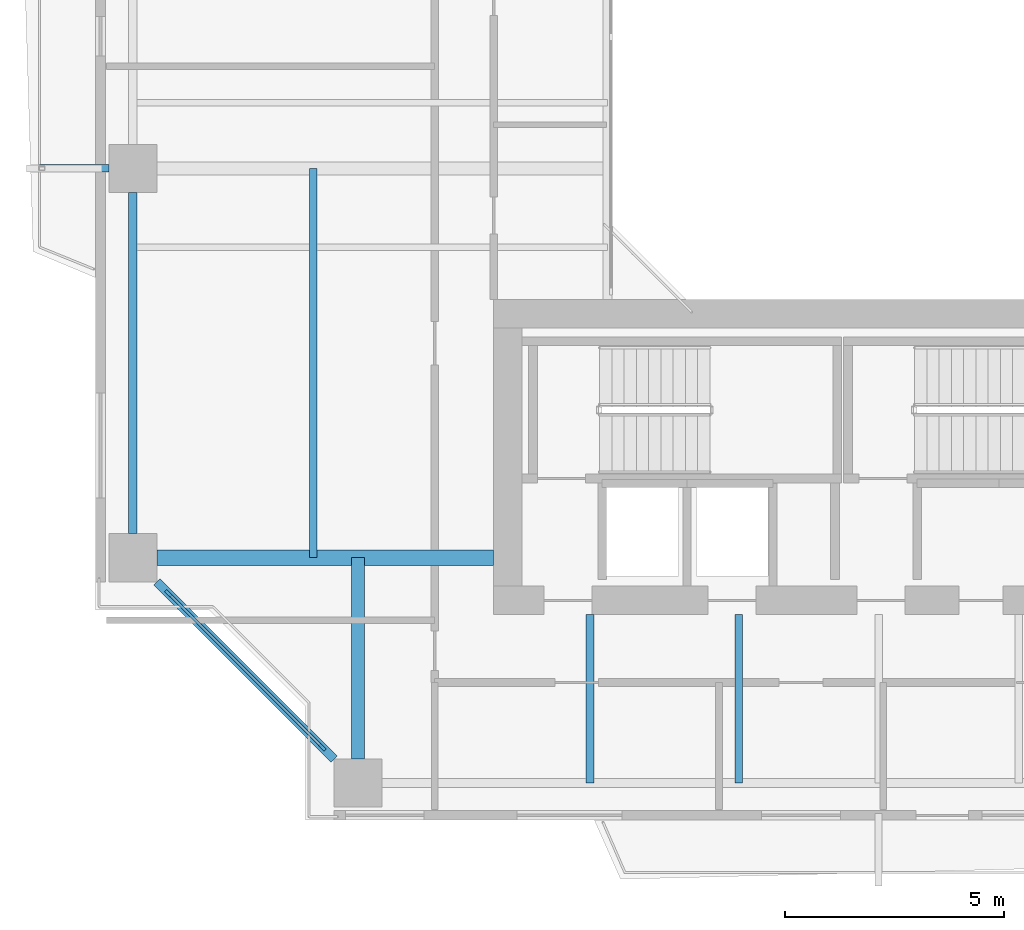
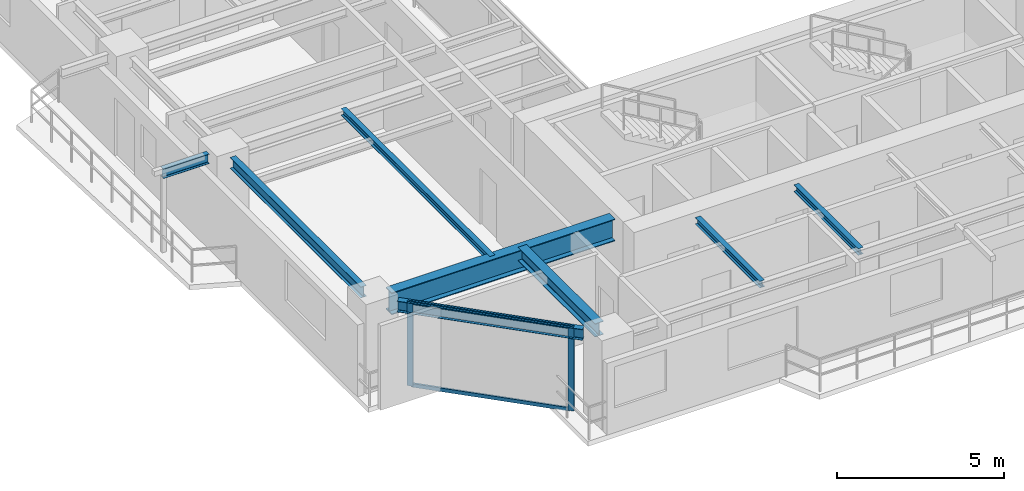
# One storey, part 2 of 17: 8 beams, 4 members, 1 element without a shape of its own.
"""IFC4 building model written with IfcOpenShell, lengths in metres."""

from ifc_helpers import new_model, si_unit, direction, frame, origin, origin_2d, place, context, subcontext, project, spatial, rectangle, i_section, extrude, source, transform, mapped, material, layer, layer_set, material_profile, profile_set, type_object, element, aggregate, save


model = new_model("IFC4")

# Units and contexts
model_context = context("Model", 3, precision=1e-05, world=origin(), true_north=direction((0.0, 1.0)))
body_context = subcontext(model_context, "Body", "Model", "MODEL_VIEW")
ifc_project = project(units=[si_unit("LENGTHUNIT", "METRE"), si_unit("AREAUNIT", "SQUARE_METRE"), si_unit("VOLUMEUNIT", "CUBIC_METRE"), si_unit("PLANEANGLEUNIT", "RADIAN"), si_unit("MASSUNIT", "GRAM", prefix="KILO"), si_unit("THERMODYNAMICTEMPERATUREUNIT", "KELVIN"), si_unit("POWERUNIT", "WATT")], contexts=[model_context])

# Site, building, storey
site_placement = place(None, origin())
site = spatial("IfcSite", under=ifc_project, at=site_placement, CompositionType="ELEMENT")
building_placement = place(site_placement, origin())
building = spatial("IfcBuilding", under=site, at=building_placement, Name="Qiaomeng Ring Towers", CompositionType="ELEMENT")
storey_placement = place(building_placement, frame((0.0, 0.0, 119.75)))
storey = spatial("IfcBuildingStorey", under=building, at=storey_placement, Name="L34", CompositionType="ELEMENT", Elevation=119.75)

# Beams
ifc_material_1 = material(Name="Steel Q355B", Category="steel")
ifc_material_profile_1 = material_profile(ifc_material_1, i_section(OverallWidth=0.199951171875, OverallDepth=0.39990234375, WebThickness=0.008056640625, FlangeThickness=0.012939453125, FilletRadius=0.01611328125, at=origin_2d()), Name="HN 400x200x8x13")
ifc_profile_set_1 = profile_set([ifc_material_profile_1], Name="Steel Q355B")
beam_type_1 = type_object("IfcBeamType", Name="STR-BM-HN400", PredefinedType="SPANDREL", material=ifc_profile_set_1)
shared_shape_1 = source(origin(), body_context, "Body", "SweptSolid", [
    extrude(i_section(OverallWidth=0.199951171875, OverallDepth=0.39990234375, WebThickness=0.008056640625, FlangeThickness=0.012939453125, FilletRadius=0.01611328125, at=origin_2d()), origin(), (0.0, 0.0, 1.0), 5.729736328125),
])
beam_1_placement = place(storey_placement, frame((2.499267578125, 10.55078125, 2.8701171875), z_axis=(0.707106781187, -0.707106781187, 0.0), x_axis=(0.707106781187, 0.707106781187, 0.0)))
element("IfcBeam", 1, at=beam_1_placement, inside=storey, type_object=beam_type_1, Name="L34 beam STR-SP-L34-T1-W1-S1", PredefinedType="SPANDREL", context=body_context, shape_type="MappedRepresentation", body=[
    mapped(shared_shape_1, transform((0.0, 0.0, 0.0), x_axis=(1.0, 0.0, 0.0), y_axis=(0.0, 1.0, 0.0), z_axis=(0.0, 0.0, 1.0), scale=1.0)),
])
shared_shape_2 = source(origin(), body_context, "Body", "SweptSolid", [
    extrude(i_section(OverallWidth=0.199951171875, OverallDepth=0.39990234375, WebThickness=0.008056640625, FlangeThickness=0.012939453125, FilletRadius=0.01611328125, at=origin_2d()), origin(), (0.0, 0.0, 1.0), 7.802001953125),
])
beam_2_placement = place(storey_placement, frame((1.949951171875, 19.450927734375, 2.8701171875), z_axis=(0.0, -1.0, 0.0), x_axis=(1.0, 0.0, 0.0)))
element("IfcBeam", 2, at=beam_2_placement, inside=storey, type_object=beam_type_1, Name="L34 beam STR-SP-L34-T1-W2-W1", PredefinedType="SPANDREL", context=body_context, shape_type="MappedRepresentation", body=[
    mapped(shared_shape_2, transform((0.0, 0.0, 0.0), x_axis=(1.0, 0.0, 0.0), y_axis=(0.0, 1.0, 0.0), z_axis=(0.0, 0.0, 1.0), scale=1.0)),
])
ifc_material_2 = material(Name="Steel Q390GJC", Category="steel")
ifc_material_profile_2 = material_profile(ifc_material_2, i_section(OverallWidth=0.35009765625, OverallDepth=0.800048828125, WebThickness=0.01611328125, FlangeThickness=0.028076171875, at=origin_2d()), Name="WH 800x350x16x28")
ifc_profile_set_2 = profile_set([ifc_material_profile_2], Name="Steel Q390GJC")
beam_type_2 = type_object("IfcBeamType", Name="STR-BM-WH800", PredefinedType="BEAM", material=ifc_profile_set_2)
shared_shape_3 = source(origin(), body_context, "Body", "SweptSolid", [
    extrude(i_section(OverallWidth=0.35009765625, OverallDepth=0.800048828125, WebThickness=0.01611328125, FlangeThickness=0.028076171875, at=origin_2d()), origin(), (0.0, 0.0, 1.0), 7.700927734375),
])
beam_3_placement = place(storey_placement, frame((2.4990234375, 11.10009765625, 2.669921875), z_axis=(1.0, 0.0, 0.0), x_axis=(0.0, 1.0, 0.0)))
element("IfcBeam", 3, at=beam_3_placement, inside=storey, type_object=beam_type_2, Name="L34 beam STR-BM-L34-T1-RAD-W1", PredefinedType="BEAM", context=body_context, shape_type="MappedRepresentation", body=[
    mapped(shared_shape_3, transform((0.0, 0.0, 0.0), x_axis=(1.0, 0.0, 0.0), y_axis=(0.0, 1.0, 0.0), z_axis=(0.0, 0.0, 1.0), scale=1.0)),
])
ifc_material_profile_3 = material_profile(ifc_material_1, i_section(OverallWidth=0.300048828125, OverallDepth=0.488037109375, WebThickness=0.010986328125, FlangeThickness=0.01806640625, FilletRadius=0.02587890625, at=origin_2d()), Name="HM 488x300x11x18")
ifc_profile_set_3 = profile_set([ifc_material_profile_3], Name="Steel Q355B")
beam_type_3 = type_object("IfcBeamType", Name="STR-BM-HM488", PredefinedType="BEAM", material=ifc_profile_set_3)
shared_shape_4 = source(origin(), body_context, "Body", "SweptSolid", [
    extrude(i_section(OverallWidth=0.300048828125, OverallDepth=0.488037109375, WebThickness=0.010986328125, FlangeThickness=0.01806640625, FilletRadius=0.02587890625, at=origin_2d()), origin(), (0.0, 0.0, 1.0), 4.60107421875),
])
beam_4_placement = place(storey_placement, frame((7.10009765625, 6.4990234375, 2.825927734375), z_axis=(0.0, 1.0, 0.0), x_axis=(-1.0, 0.0, 0.0)))
element("IfcBeam", 4, at=beam_4_placement, inside=storey, type_object=beam_type_3, Name="L34 beam STR-BM-L34-T1-RAD-S1", PredefinedType="BEAM", context=body_context, shape_type="MappedRepresentation", body=[
    mapped(shared_shape_4, transform((0.0, 0.0, 0.0), x_axis=(1.0, 0.0, 0.0), y_axis=(0.0, 1.0, 0.0), z_axis=(0.0, 0.0, 1.0), scale=1.0)),
])
ifc_material_profile_4 = material_profile(ifc_material_1, i_section(OverallWidth=0.175048828125, OverallDepth=0.35009765625, WebThickness=0.007080078125, FlangeThickness=0.010986328125, FilletRadius=0.013916015625, at=origin_2d()), Name="HN 350x175x7x11")
ifc_profile_set_4 = profile_set([ifc_material_profile_4], Name="Steel Q355B")
beam_type_4 = type_object("IfcBeamType", Name="STR-BM-HN350", PredefinedType="JOIST", material=ifc_profile_set_4)
shared_shape_5 = source(origin(), body_context, "Body", "SweptSolid", [
    extrude(i_section(OverallWidth=0.175048828125, OverallDepth=0.35009765625, WebThickness=0.007080078125, FlangeThickness=0.010986328125, FilletRadius=0.013916015625, at=origin_2d()), origin(), (0.0, 0.0, 1.0), 1.580810546875),
])
beam_5_placement = place(storey_placement, frame((-0.179931640625, 20.0, 2.89501953125), z_axis=(1.0, 0.0, 0.0), x_axis=(0.0, 1.0, 0.0)))
element("IfcBeam", 5, at=beam_5_placement, inside=storey, type_object=beam_type_4, Name="L34 beam STR-BALBM-L34-W2", PredefinedType="JOIST", context=body_context, shape_type="MappedRepresentation", body=[
    mapped(shared_shape_5, transform((0.0, 0.0, 0.0), x_axis=(1.0, 0.0, 0.0), y_axis=(0.0, 1.0, 0.0), z_axis=(0.0, 0.0, 1.0), scale=1.0)),
])
ifc_material_profile_5 = material_profile(ifc_material_1, i_section(OverallWidth=0.175048828125, OverallDepth=0.243896484375, WebThickness=0.007080078125, FlangeThickness=0.010986328125, FilletRadius=0.01611328125, at=origin_2d()), Name="HM 244x175x7x11")
ifc_profile_set_5 = profile_set([ifc_material_profile_5], Name="Steel Q355B")
beam_type_5 = type_object("IfcBeamType", Name="STR-BM-HM244", PredefinedType="JOIST", material=ifc_profile_set_5)
shared_shape_6 = source(origin(), body_context, "Body", "SweptSolid", [
    extrude(i_section(OverallWidth=0.175048828125, OverallDepth=0.243896484375, WebThickness=0.007080078125, FlangeThickness=0.010986328125, FilletRadius=0.01611328125, at=origin_2d()), origin(), (0.0, 0.0, 1.0), 3.85009765625),
])
for number, where, z_axis, x_axis, name in (
    (6, (12.39990234375, 5.949951171875, 2.947998046875), (0.0, 1.0, 0.0), (-1.0, 0.0, 0.0), "L34 beam STR-JST-L34-T1S-1"),
    (7, (15.800048828125, 5.949951171875, 2.947998046875), (0.0, 1.0, 0.0), (-1.0, 0.0, 0.0), "L34 beam STR-JST-L34-T1S-2"),
):
    element("IfcBeam", number, at=place(storey_placement, frame(where, z_axis=z_axis, x_axis=x_axis)), inside=storey, type_object=beam_type_5, Name=name, PredefinedType="JOIST", context=body_context, shape_type="MappedRepresentation", body=[
        mapped(shared_shape_6, transform((0.0, 0.0, 0.0), x_axis=(1.0, 0.0, 0.0), y_axis=(0.0, 1.0, 0.0), z_axis=(0.0, 0.0, 1.0), scale=1.0)),
    ])
shared_shape_7 = source(origin(), body_context, "Body", "SweptSolid", [
    extrude(i_section(OverallWidth=0.175048828125, OverallDepth=0.243896484375, WebThickness=0.007080078125, FlangeThickness=0.010986328125, FilletRadius=0.01611328125, at=origin_2d()), origin(), (0.0, 0.0, 1.0), 8.89990234375),
])
beam_6_placement = place(storey_placement, frame((6.074951171875, 11.10009765625, 2.947998046875), z_axis=(0.0, 1.0, 0.0), x_axis=(-1.0, 0.0, 0.0)))
element("IfcBeam", 8, at=beam_6_placement, inside=storey, type_object=beam_type_5, Name="L34 beam STR-JST-L34-T1C-WS", PredefinedType="JOIST", context=body_context, shape_type="MappedRepresentation", body=[
    mapped(shared_shape_7, transform((0.0, 0.0, 0.0), x_axis=(1.0, 0.0, 0.0), y_axis=(0.0, 1.0, 0.0), z_axis=(0.0, 0.0, 1.0), scale=1.0)),
])

# Curtain wall, members
ifc_material_3 = material(Name="Fluorocarbon dark-grey aluminium", Category="aluminium")
ifc_layer = layer(ifc_material_3, 0.14990234375, Name="Fluorocarbon dark-grey aluminium")
ifc_layer_set = layer_set([ifc_layer], Name="Fluorocarbon dark-grey aluminium")
curtain_wall_type = type_object("IfcCurtainWallType", Name="ARC-CW-3", PredefinedType="NOTDEFINED", material=ifc_layer_set)
curtain_wall_placement = place(storey_placement, origin())
curtain_wall = element("IfcCurtainWall", 9, at=curtain_wall_placement, inside=storey, type_object=curtain_wall_type, Name="L34 Curtain Wall CW3", PredefinedType="NOTDEFINED")
ifc_material_profile_6 = material_profile(ifc_material_3, rectangle(XDim=0.070068359375, YDim=0.179931640625, at=origin_2d()), Name="ALU MULL 70x180")
ifc_profile_set_6 = profile_set([ifc_material_profile_6], Name="Fluorocarbon dark-grey aluminium")
member_type_1 = type_object("IfcMemberType", Name="ARC-CWM-160", PredefinedType="MULLION", material=ifc_profile_set_6)
shared_shape_8 = source(origin(), body_context, "Body", "SweptSolid", [
    extrude(rectangle(XDim=0.070068359375, YDim=0.179931640625, at=origin_2d()), origin(), (0.0, 0.0, 1.0), 3.070068359375),
])
member_1_placement = place(storey_placement, frame((2.7646484375, 10.28515625, 0.0), z_axis=(0.0, 0.0, 1.0), x_axis=(0.707106781187, 0.707106781187, 0.0)))
member_1 = element("IfcMember", 10, at=member_1_placement, type_object=member_type_1, Name="CW3 mullion 1", PredefinedType="MULLION", context=body_context, shape_type="MappedRepresentation", body=[
    mapped(shared_shape_8, transform((0.0, 0.0, 0.0), x_axis=(1.0, 0.0, 0.0), y_axis=(0.0, 1.0, 0.0), z_axis=(0.0, 0.0, 1.0), scale=1.0)),
])
member_2_placement = place(storey_placement, frame((6.28515625, 6.7646484375, 0.0), z_axis=(0.0, 0.0, 1.0), x_axis=(0.707106781187, 0.707106781187, 0.0)))
member_2 = element("IfcMember", 11, at=member_2_placement, type_object=member_type_1, Name="CW3 mullion 2", PredefinedType="MULLION", context=body_context, shape_type="MappedRepresentation", body=[
    mapped(shared_shape_8, transform((0.0, 0.0, 0.0), x_axis=(1.0, 0.0, 0.0), y_axis=(0.0, 1.0, 0.0), z_axis=(0.0, 0.0, 1.0), scale=1.0)),
])
ifc_material_profile_7 = material_profile(ifc_material_3, rectangle(XDim=0.06494140625, YDim=0.1298828125, at=origin_2d()), Name="ALU TRAN 65x130")
ifc_profile_set_7 = profile_set([ifc_material_profile_7], Name="Fluorocarbon dark-grey aluminium")
member_type_2 = type_object("IfcMemberType", Name="ARC-CWT-120", PredefinedType="USERDEFINED", material=ifc_profile_set_7)
shared_shape_9 = source(origin(), body_context, "Body", "SweptSolid", [
    extrude(rectangle(XDim=0.06494140625, YDim=0.1298828125, at=origin_2d()), origin(), (0.0, 0.0, 1.0), 4.90869140625),
])
member_3_placement = place(storey_placement, frame((2.78955078125, 10.260498046875, 0.032470703125), z_axis=(0.707106781187, -0.707106781187, 0.0), x_axis=(0.707106781187, 0.707106781187, 0.0)))
member_3 = element("IfcMember", 12, at=member_3_placement, type_object=member_type_2, Name="CW3 transom 1.1", ObjectType="TRANSOM", PredefinedType="USERDEFINED", context=body_context, shape_type="MappedRepresentation", body=[
    mapped(shared_shape_9, transform((0.0, 0.0, 0.0), x_axis=(1.0, 0.0, 0.0), y_axis=(0.0, 1.0, 0.0), z_axis=(0.0, 0.0, 1.0), scale=1.0)),
])
member_4_placement = place(storey_placement, frame((2.78955078125, 10.260498046875, 3.03759765625), z_axis=(0.707106781187, -0.707106781187, 0.0), x_axis=(0.707106781187, 0.707106781187, 0.0)))
member_4 = element("IfcMember", 13, at=member_4_placement, type_object=member_type_2, Name="CW3 transom 1.2", ObjectType="TRANSOM", PredefinedType="USERDEFINED", context=body_context, shape_type="MappedRepresentation", body=[
    mapped(shared_shape_9, transform((0.0, 0.0, 0.0), x_axis=(1.0, 0.0, 0.0), y_axis=(0.0, 1.0, 0.0), z_axis=(0.0, 0.0, 1.0), scale=1.0)),
])
aggregate(curtain_wall, [member_1, member_2, member_3, member_4])

save(model, "model.ifc")
